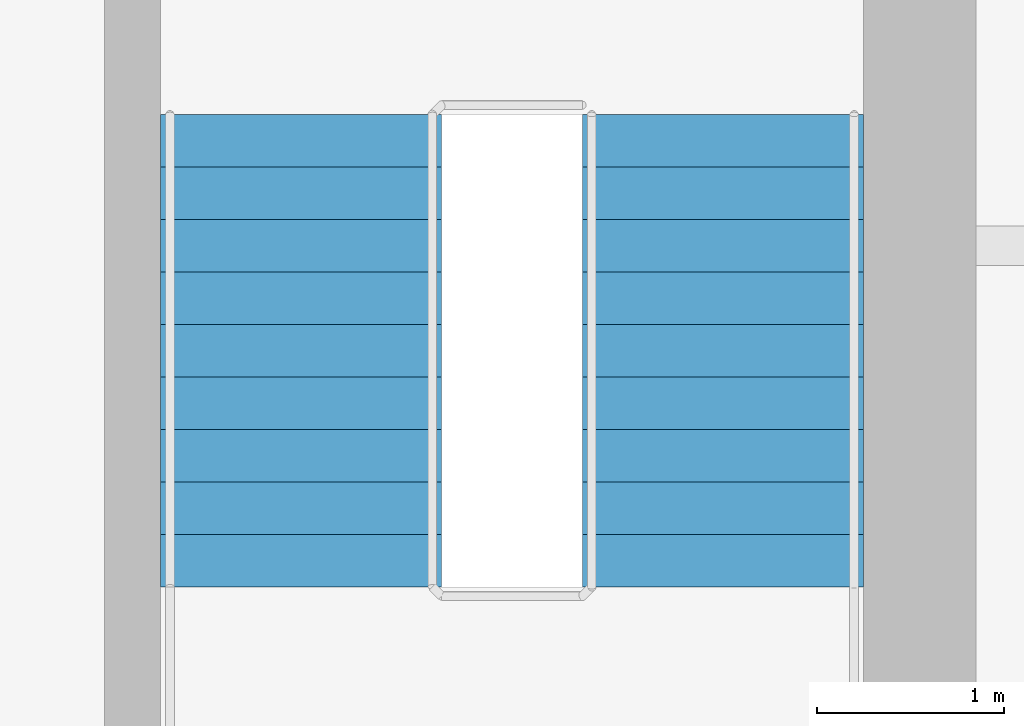
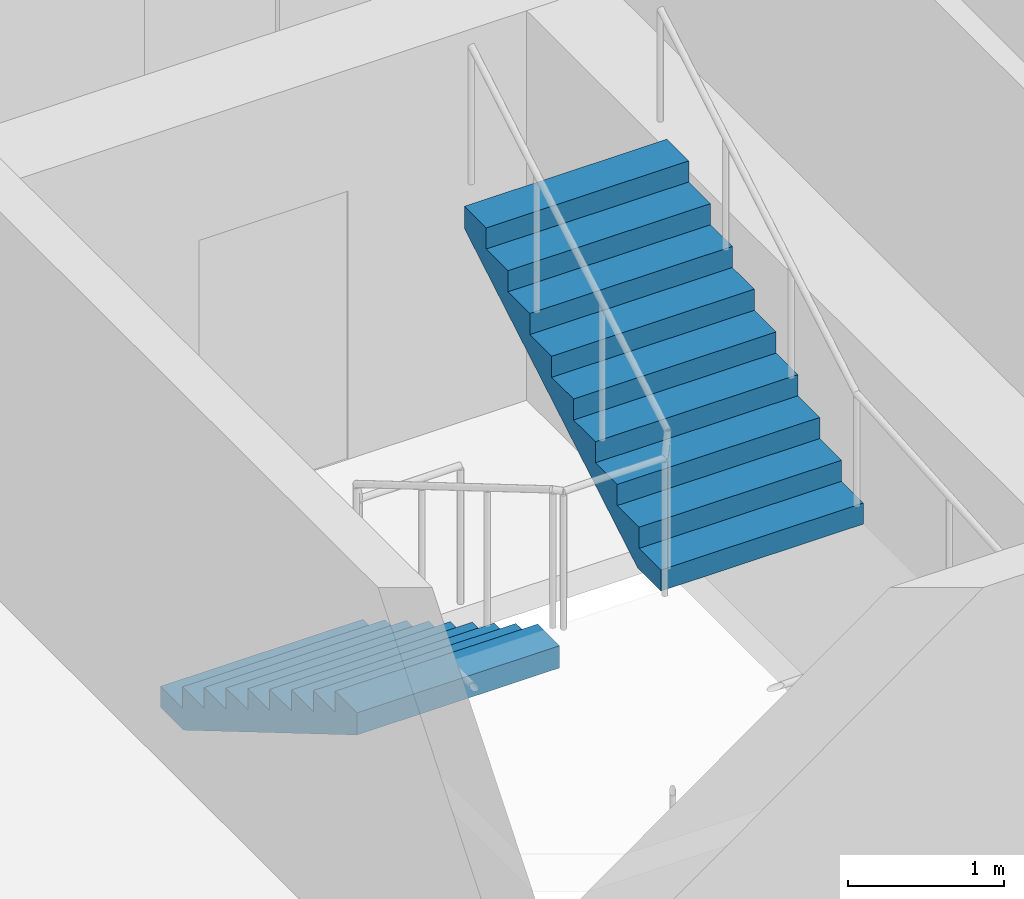
# One storey, part 8 of 10: 2 stair flights, 1 element without a shape of its own.
"""IFC4 building model written with IfcOpenShell, lengths in metres."""

from ifc_helpers import new_model, si_unit, direction, frame, origin, place, context, subcontext, project, spatial, polyline, outline, extrude, material, type_object, element, aggregate, save


model = new_model("IFC4")

# Units and contexts
model_context = context("Model", 3, precision=1e-05, world=origin(), true_north=direction((0.0, 1.0)))
body_context = subcontext(model_context, "Body", "Model", "MODEL_VIEW")
ifc_project = project(units=[si_unit("LENGTHUNIT", "METRE"), si_unit("AREAUNIT", "SQUARE_METRE"), si_unit("VOLUMEUNIT", "CUBIC_METRE"), si_unit("PLANEANGLEUNIT", "RADIAN"), si_unit("MASSUNIT", "GRAM", prefix="KILO")], contexts=[model_context])

# Site, building, storey
site_placement = place(None, origin())
site = spatial("IfcSite", under=ifc_project, at=site_placement, CompositionType="ELEMENT")
building_placement = place(site_placement, origin())
building = spatial("IfcBuilding", under=site, at=building_placement, Name="Amberfall Residences", CompositionType="ELEMENT")
storey_placement = place(building_placement, frame((0.0, 0.0, 213.39990234375)))
storey = spatial("IfcBuildingStorey", under=building, at=storey_placement, Name="L57", CompositionType="ELEMENT", Elevation=213.39990234375)

# Stair, stair flights
ifc_material = material(Name="Concrete C40", Category="concrete")
stair_type = type_object("IfcStairType", Name="Exit stair 20 risers 165.0 mm", PredefinedType="HALF_TURN_STAIR", material=ifc_material)
stair_placement = place(storey_placement, origin())
stair = element("IfcStair", 1, at=stair_placement, inside=storey, type_object=stair_type, Name="L57 Exit stair 3", PredefinedType="HALF_TURN_STAIR")
stair_flight_type = type_object("IfcStairFlightType", Name="Stair flight 10 risers 165.0 mm", PredefinedType="STRAIGHT", material=ifc_material)
stair_flight_1_placement = place(storey_placement, frame((82.89990234375, 55.10009765625, 0.0), z_axis=(0.0, 0.0, 1.0), x_axis=(0.0, -1.0, 0.0)))
stair_flight_1 = element("IfcStairFlight", 2, at=stair_flight_1_placement, type_object=stair_flight_type, Name="ST3 flight 1", NumberOfRisers=10, NumberOfTreads=9, PredefinedType="STRAIGHT", RiserHeight=0.165, TreadLength=0.28, context=body_context, shape_type="SweptSolid", body=[
    extrude(outline(polyline([(0.0, 0.0), (0.0, 0.1650390625), (0.280029296875, 0.1650390625), (0.280029296875, 0.330078125), (0.56005859375, 0.330078125), (0.56005859375, 0.4951171875), (0.840087890625, 0.4951171875), (0.840087890625, 0.659912109375), (1.1201171875, 0.659912109375), (1.1201171875, 0.824951171875), (1.39990234375, 0.824951171875), (1.39990234375, 0.989990234375), (1.679931640625, 0.989990234375), (1.679931640625, 1.155029296875), (1.9599609375, 1.155029296875), (1.9599609375, 1.320068359375), (2.239990234375, 1.320068359375), (2.239990234375, 1.485107421875), (2.52001953125, 1.485107421875), (2.52001953125, 1.64990234375), (2.52001953125, 1.31103515625), (0.295166015625, 0.0), (0.0, 0.0)])), frame((0.0, 0.75, 0.0), z_axis=(0.0, -1.0, 0.0), x_axis=(1.0, 0.0, 0.0)), (0.0, 0.0, 1.0), 1.5),
])
stair_flight_2_placement = place(storey_placement, frame((85.14990234375, 52.580078125, 1.650146484375), z_axis=(0.0, 0.0, 1.0), x_axis=(0.0, 1.0, 0.0)))
stair_flight_2 = element("IfcStairFlight", 3, at=stair_flight_2_placement, type_object=stair_flight_type, Name="ST3 flight 2", NumberOfRisers=10, NumberOfTreads=9, PredefinedType="STRAIGHT", RiserHeight=0.165, TreadLength=0.28, context=body_context, shape_type="SweptSolid", body=[
    extrude(outline(polyline([(0.0, 0.0), (0.0, 0.1650390625), (0.280029296875, 0.1650390625), (0.280029296875, 0.330078125), (0.56005859375, 0.330078125), (0.56005859375, 0.4951171875), (0.840087890625, 0.4951171875), (0.840087890625, 0.659912109375), (1.1201171875, 0.659912109375), (1.1201171875, 0.824951171875), (1.39990234375, 0.824951171875), (1.39990234375, 0.989990234375), (1.679931640625, 0.989990234375), (1.679931640625, 1.155029296875), (1.9599609375, 1.155029296875), (1.9599609375, 1.320068359375), (2.239990234375, 1.320068359375), (2.239990234375, 1.485107421875), (2.52001953125, 1.485107421875), (2.52001953125, 1.64990234375), (2.52001953125, 1.31103515625), (0.295166015625, 0.0), (0.0, 0.0)])), frame((0.0, 0.75, 0.0), z_axis=(0.0, -1.0, 0.0), x_axis=(1.0, 0.0, 0.0)), (0.0, 0.0, 1.0), 1.5),
])
aggregate(stair, [stair_flight_1, stair_flight_2])

save(model, "model.ifc")
